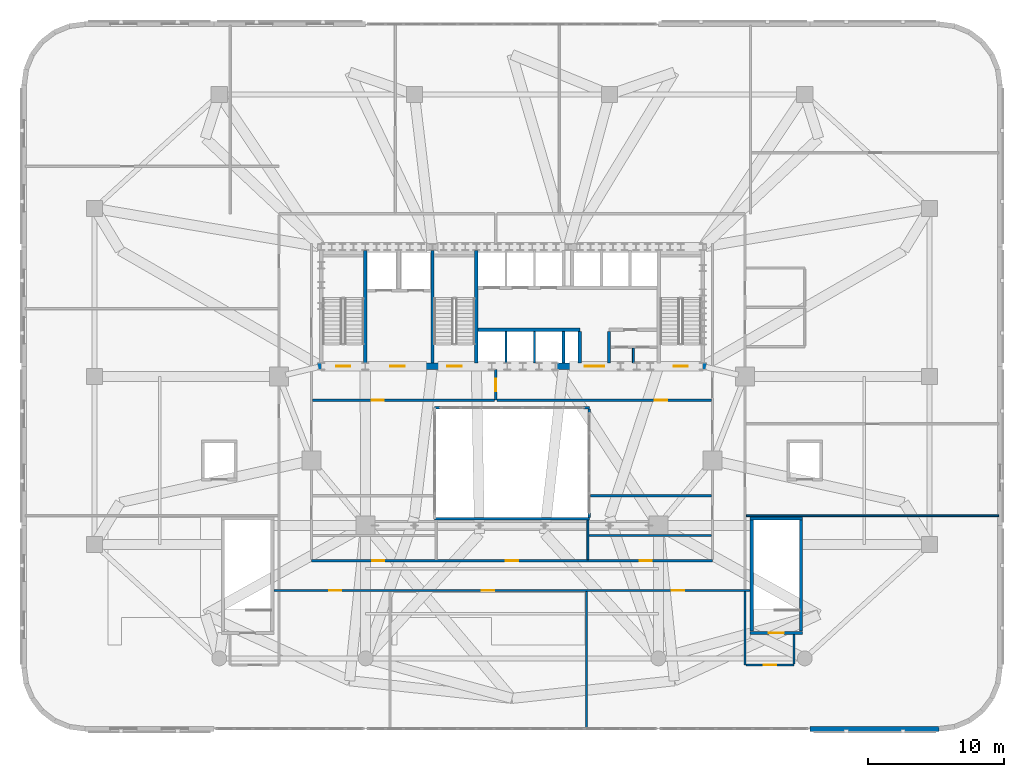
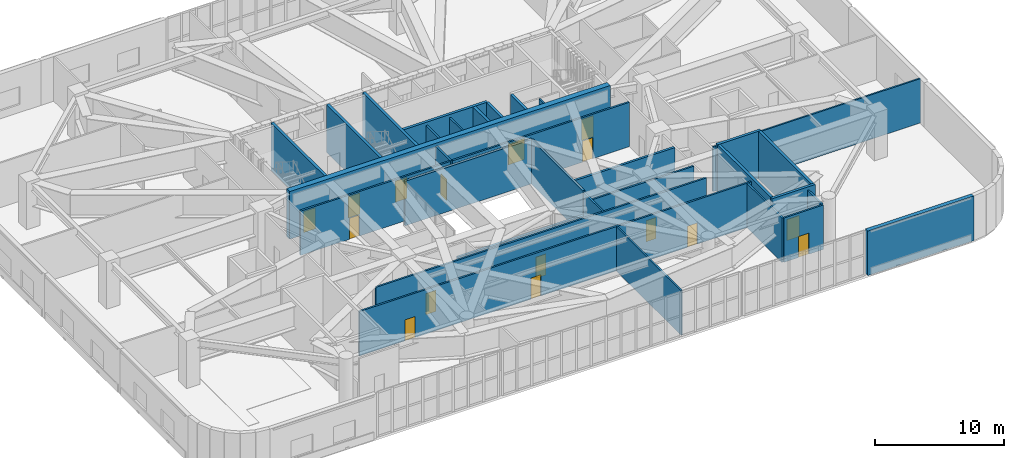
# One storey, part 16 of 26: 32 walls, 16 doors, 16 openings.
"""IFC4 building model written with IfcOpenShell, lengths in metres."""

from ifc_helpers import new_model, si_unit, direction, frame, frame_2d, origin, place, context, subcontext, project, spatial, rectangle, extrude, material, layer, layer_set, type_object, element, fill, save


model = new_model("IFC4")

# Units and contexts
model_context = context("Model", 3, precision=1e-05, world=origin(), true_north=direction((0.0, 1.0)))
body_context = subcontext(model_context, "Body", "Model", "MODEL_VIEW")
ifc_project = project(units=[si_unit("LENGTHUNIT", "METRE"), si_unit("AREAUNIT", "SQUARE_METRE"), si_unit("VOLUMEUNIT", "CUBIC_METRE"), si_unit("PLANEANGLEUNIT", "RADIAN"), si_unit("MASSUNIT", "GRAM", prefix="KILO")], contexts=[model_context])

# Site, building, storey
site_placement = place(None, origin())
site = spatial("IfcSite", under=ifc_project, at=site_placement, CompositionType="ELEMENT")
building_placement = place(site_placement, origin())
building = spatial("IfcBuilding", under=site, at=building_placement, Name="Haldorwick Loom Tower", CompositionType="ELEMENT")
storey_placement = place(building_placement, frame((0.0, 0.0, 19.5)))
storey = spatial("IfcBuildingStorey", under=building, at=storey_placement, Name="L04", CompositionType="ELEMENT", Elevation=19.5)

# Wall
ifc_material_1 = material(Name="Pressed Clay Face Brick and Insulated Masonry Backup Assembly", Category="masonry")
ifc_layer_1 = layer(ifc_material_1, 0.360107421875, Name="Pressed Clay Face Brick and Insulated Masonry Backup Assembly", Category="masonry")
ifc_layer_set_1 = layer_set([ifc_layer_1], Name="Pressed Clay Face Brick and Insulated Masonry Backup Assembly")
wall_type_1 = type_object("IfcWallType", Name="ARC-WL-EXT360", PredefinedType="STANDARD", material=ifc_layer_set_1)
wall_1_placement = place(storey_placement, frame((58.0, 0.0, 0.0), z_axis=(0.0, 0.0, 1.0), x_axis=(1.0, 0.0, 0.0)))
element("IfcWall", 1, at=wall_1_placement, inside=storey, type_object=wall_type_1, Name="L04 Brick Pier and Spandrel Wall 42", PredefinedType="STANDARD", context=body_context, shape_type="SweptSolid", body=[
    extrude(rectangle(XDim=9.5, YDim=0.360107421875, at=frame_2d((4.75, 0.0))), origin(), (0.0, 0.0, 1.0), 4.219970703125),
])

# Wall, openings, doors
ifc_material_2 = material(Name="Fire-Rated Type X Gypsum Stud Assembly EI 60")
ifc_layer_2 = layer(ifc_material_2, 0.159912109375, Name="Fire-Rated Type X Gypsum Stud Assembly EI 60")
ifc_layer_set_2 = layer_set([ifc_layer_2], Name="Fire-Rated Type X Gypsum Stud Assembly EI 60")
wall_type_2 = type_object("IfcWallType", Name="ARC-WL-FIRE160", PredefinedType="PARTITIONING", material=ifc_layer_set_2)
wall_2_placement = place(storey_placement, frame((18.443115234375, 10.199951171875, 0.0), z_axis=(0.0, 0.0, 1.0), x_axis=(1.0, 0.0, 0.0)))
wall_2 = element("IfcWall", 2, at=wall_2_placement, inside=storey, type_object=wall_type_2, Name="L04 Podium Partition L04-CS0", PredefinedType="PARTITIONING", context=body_context, shape_type="SweptSolid", body=[
    extrude(rectangle(XDim=35.11376953125, YDim=0.159912109375, at=frame_2d((17.556884765625, 0.0))), origin(), (0.0, 0.0, 1.0), 4.205078125),
])
opening_1_placement = place(wall_2_placement, frame((15.34033203125, 0.0, 0.0)))
opening_1 = element("IfcOpeningElement", 3, at=opening_1_placement, cuts=wall_2, Name="Opening D-FD60A", PredefinedType="OPENING", context=body_context, shape_type="SweptSolid", body=[
    extrude(rectangle(XDim=0.89990234375, YDim=2.0, at=frame_2d((0.449951171875, 1.0))), frame((0.0, 0.08984375, 0.0), z_axis=(0.0, -1.0, 0.0), x_axis=(1.0, 0.0, 0.0)), (0.0, 0.0, 1.0), 0.179931640625),
])
opening_2_placement = place(wall_2_placement, frame((29.3583984375, 0.0, 0.0)))
opening_2 = element("IfcOpeningElement", 4, at=opening_2_placement, cuts=wall_2, Name="Opening D-FD60A", PredefinedType="OPENING", context=body_context, shape_type="SweptSolid", body=[
    extrude(rectangle(XDim=0.89990234375, YDim=2.0, at=frame_2d((0.449951171875, 1.0))), frame((0.0, 0.08984375, 0.0), z_axis=(0.0, -1.0, 0.0), x_axis=(1.0, 0.0, 0.0)), (0.0, 0.0, 1.0), 0.179931640625),
])
opening_3_placement = place(wall_2_placement, frame((4.077392578125, 0.0, 0.0)))
opening_3 = element("IfcOpeningElement", 5, at=opening_3_placement, cuts=wall_2, Name="Opening D-FD60A", PredefinedType="OPENING", context=body_context, shape_type="SweptSolid", body=[
    extrude(rectangle(XDim=0.89990234375, YDim=2.0, at=frame_2d((0.449951171875, 1.0))), frame((0.0, 0.08984375, 0.0), z_axis=(0.0, -1.0, 0.0), x_axis=(1.0, 0.0, 0.0)), (0.0, 0.0, 1.0), 0.179931640625),
])
ifc_material_3 = material(Name="Hollow Steel Fire Door Assembly", Category="steel")
door_type_1 = type_object("IfcDoorType", Name="ARC-DR-FD60-90", OperationType="NOTDEFINED", PredefinedType="DOOR", material=ifc_material_3)
door_1_placement = place(opening_1_placement, origin())
door_1 = element("IfcDoor", 6, at=door_1_placement, inside=storey, type_object=door_type_1, Name="L04 L04 South Clinic Corridor to Senior Day Health Hall 1 Door", OperationType="SINGLE_SWING_LEFT", OverallHeight=2.0, OverallWidth=0.89990234375, PredefinedType="DOOR", context=body_context, shape_type="SweptSolid", body=[
    extrude(rectangle(XDim=0.89990234375, YDim=2.0, at=frame_2d((0.449951171875, 1.0))), frame((0.0, 0.02490234375, 0.0), z_axis=(0.0, -1.0, 0.0), x_axis=(1.0, 0.0, 0.0)), (0.0, 0.0, 1.0), 0.050048828125),
])
fill(opening_1, door_1)
door_2_placement = place(opening_2_placement, origin())
door_2 = element("IfcDoor", 7, at=door_2_placement, inside=storey, type_object=door_type_1, Name="L04 L04 South Clinic Corridor to Medical Archive Store 4 Door", OperationType="SINGLE_SWING_RIGHT", OverallHeight=2.0, OverallWidth=0.89990234375, PredefinedType="DOOR", context=body_context, shape_type="SweptSolid", body=[
    extrude(rectangle(XDim=0.89990234375, YDim=2.0, at=frame_2d((0.449951171875, 1.0))), frame((0.0, 0.02490234375, 0.0), z_axis=(0.0, -1.0, 0.0), x_axis=(1.0, 0.0, 0.0)), (0.0, 0.0, 1.0), 0.050048828125),
])
fill(opening_2, door_2)
door_3_placement = place(opening_3_placement, origin())
door_3 = element("IfcDoor", 8, at=door_3_placement, inside=storey, type_object=door_type_1, Name="L04 L04 South Clinic Corridor to Senior Day Health Hall 5 Door", OperationType="SINGLE_SWING_RIGHT", OverallHeight=2.0, OverallWidth=0.89990234375, PredefinedType="DOOR", context=body_context, shape_type="SweptSolid", body=[
    extrude(rectangle(XDim=0.89990234375, YDim=2.0, at=frame_2d((0.449951171875, 1.0))), frame((0.0, 0.02490234375, 0.0), z_axis=(0.0, -1.0, 0.0), x_axis=(1.0, 0.0, 0.0)), (0.0, 0.0, 1.0), 0.050048828125),
])
fill(opening_3, door_3)

wall_3_placement = place(storey_placement, frame((21.199951171875, 12.39990234375, 0.0), z_axis=(0.0, 0.0, 1.0), x_axis=(1.0, 0.0, 0.0)))
wall_3 = element("IfcWall", 9, at=wall_3_placement, inside=storey, type_object=wall_type_2, Name="L04 Podium Partition L04-CS1", PredefinedType="PARTITIONING", context=body_context, shape_type="SweptSolid", body=[
    extrude(rectangle(XDim=29.60009765625, YDim=0.159912109375, at=frame_2d((14.800048828125, 0.0))), origin(), (0.0, 0.0, 1.0), 4.205078125),
])
opening_4_placement = place(wall_3_placement, frame((14.35009765625, 0.0, 0.0)))
opening_4 = element("IfcOpeningElement", 10, at=opening_4_placement, cuts=wall_3, Name="Opening D-FD60A", PredefinedType="OPENING", context=body_context, shape_type="SweptSolid", body=[
    extrude(rectangle(XDim=0.89990234375, YDim=2.0, at=frame_2d((0.449951171875, 1.0))), frame((0.0, 0.08984375, 0.0), z_axis=(0.0, -1.0, 0.0), x_axis=(1.0, 0.0, 0.0)), (0.0, 0.0, 1.0), 0.179931640625),
])
opening_5_placement = place(wall_3_placement, frame((24.211181640625, 0.0, 0.0)))
opening_5 = element("IfcOpeningElement", 11, at=opening_5_placement, cuts=wall_3, Name="Opening D-FD60A", PredefinedType="OPENING", context=body_context, shape_type="SweptSolid", body=[
    extrude(rectangle(XDim=0.89990234375, YDim=2.0, at=frame_2d((0.449951171875, 1.0))), frame((0.0, 0.08984375, 0.0), z_axis=(0.0, -1.0, 0.0), x_axis=(1.0, 0.0, 0.0)), (0.0, 0.0, 1.0), 0.179931640625),
])
opening_6_placement = place(wall_3_placement, frame((4.48876953125, 0.0, 0.0)))
opening_6 = element("IfcOpeningElement", 12, at=opening_6_placement, cuts=wall_3, Name="Opening D-FD60A", PredefinedType="OPENING", context=body_context, shape_type="SweptSolid", body=[
    extrude(rectangle(XDim=0.89990234375, YDim=2.0, at=frame_2d((0.449951171875, 1.0))), frame((0.0, 0.08984375, 0.0), z_axis=(0.0, -1.0, 0.0), x_axis=(1.0, 0.0, 0.0)), (0.0, 0.0, 1.0), 0.179931640625),
])
door_4_placement = place(opening_4_placement, origin())
door_4 = element("IfcDoor", 13, at=door_4_placement, inside=storey, type_object=door_type_1, Name="L04 Central Transfer Truss Plant to L04 South Clinic Corridor Door", OperationType="SINGLE_SWING_LEFT", OverallHeight=2.0, OverallWidth=0.89990234375, PredefinedType="DOOR", context=body_context, shape_type="SweptSolid", body=[
    extrude(rectangle(XDim=0.89990234375, YDim=2.0, at=frame_2d((0.449951171875, 1.0))), frame((0.0, 0.02490234375, 0.0), z_axis=(0.0, -1.0, 0.0), x_axis=(1.0, 0.0, 0.0)), (0.0, 0.0, 1.0), 0.050048828125),
])
fill(opening_4, door_4)
door_5_placement = place(opening_5_placement, origin())
door_5 = element("IfcDoor", 14, at=door_5_placement, inside=storey, type_object=door_type_1, Name="L04 East Transfer Truss Plant to L04 South Clinic Corridor Door", OperationType="SINGLE_SWING_RIGHT", OverallHeight=2.0, OverallWidth=0.89990234375, PredefinedType="DOOR", context=body_context, shape_type="SweptSolid", body=[
    extrude(rectangle(XDim=0.89990234375, YDim=2.0, at=frame_2d((0.449951171875, 1.0))), frame((0.0, 0.02490234375, 0.0), z_axis=(0.0, -1.0, 0.0), x_axis=(1.0, 0.0, 0.0)), (0.0, 0.0, 1.0), 0.050048828125),
])
fill(opening_5, door_5)
door_6_placement = place(opening_6_placement, origin())
door_6 = element("IfcDoor", 15, at=door_6_placement, inside=storey, type_object=door_type_1, Name="L04 West Transfer Truss Plant to L04 South Clinic Corridor Door", OperationType="SINGLE_SWING_LEFT", OverallHeight=2.0, OverallWidth=0.89990234375, PredefinedType="DOOR", context=body_context, shape_type="SweptSolid", body=[
    extrude(rectangle(XDim=0.89990234375, YDim=2.0, at=frame_2d((0.449951171875, 1.0))), frame((0.0, 0.02490234375, 0.0), z_axis=(0.0, -1.0, 0.0), x_axis=(1.0, 0.0, 0.0)), (0.0, 0.0, 1.0), 0.050048828125),
])
fill(opening_6, door_6)

# Wall, opening, door
wall_4_placement = place(storey_placement, frame((34.800048828125, 24.25, 0.0), z_axis=(0.0, 0.0, 1.0), x_axis=(0.0, 1.0, 0.0)))
wall_4 = element("IfcWall", 16, at=wall_4_placement, inside=storey, type_object=wall_type_2, Name="L04 Podium Partition L04-CCS", PredefinedType="PARTITIONING", context=body_context, shape_type="SweptSolid", body=[
    extrude(rectangle(XDim=2.2470703125, YDim=0.159912109375, at=frame_2d((1.12353515625, 0.0))), origin(), (0.0, 0.0, 1.0), 4.205078125),
])
opening_7_placement = place(wall_4_placement, frame((0.673583984375, 0.0, 0.0)))
opening_7 = element("IfcOpeningElement", 17, at=opening_7_placement, cuts=wall_4, Name="Opening D-FD60A", PredefinedType="OPENING", context=body_context, shape_type="SweptSolid", body=[
    extrude(rectangle(XDim=0.89990234375, YDim=2.0, at=frame_2d((0.449951171875, 1.0))), frame((0.0, 0.08984375, 0.0), z_axis=(0.0, -1.0, 0.0), x_axis=(1.0, 0.0, 0.0)), (0.0, 0.0, 1.0), 0.179931640625),
])
door_7_placement = place(opening_7_placement, origin())
door_7 = element("IfcDoor", 18, at=door_7_placement, inside=storey, type_object=door_type_1, Name="L04 L04 West Core Corridor to L04 East Core Corridor Door", OperationType="SINGLE_SWING_LEFT", OverallHeight=2.0, OverallWidth=0.89990234375, PredefinedType="DOOR", context=body_context, shape_type="SweptSolid", body=[
    extrude(rectangle(XDim=0.89990234375, YDim=2.0, at=frame_2d((0.449951171875, 1.0))), frame((0.0, 0.02490234375, 0.0), z_axis=(0.0, -1.0, 0.0), x_axis=(1.0, 0.0, 0.0)), (0.0, 0.0, 1.0), 0.050048828125),
])
fill(opening_7, door_7)

# Wall
wall_5_placement = place(storey_placement, frame((53.199951171875, 4.699951171875, 0.0), z_axis=(0.0, 0.0, 1.0), x_axis=(0.0, 1.0, 0.0)))
element("IfcWall", 19, at=wall_5_placement, inside=storey, type_object=wall_type_2, Name="L04 Podium Partition L04-SP2W", PredefinedType="PARTITIONING", context=body_context, shape_type="SweptSolid", body=[
    extrude(rectangle(XDim=5.4169921875, YDim=0.159912109375, at=frame_2d((2.70849609375, 0.0))), origin(), (0.0, 0.0, 1.0), 4.205078125),
])

# Wall, opening, door
wall_6_placement = place(storey_placement, frame((53.282958984375, 4.699951171875, 0.0), z_axis=(0.0, 0.0, 1.0), x_axis=(1.0, 0.0, 0.0)))
wall_6 = element("IfcWall", 20, at=wall_6_placement, inside=storey, type_object=wall_type_2, Name="L04 Podium Partition L04-SP2S", PredefinedType="PARTITIONING", context=body_context, shape_type="SweptSolid", body=[
    extrude(rectangle(XDim=3.51708984375, YDim=0.159912109375, at=frame_2d((1.758544921875, 0.0))), origin(), (0.0, 0.0, 1.0), 4.205078125),
])
opening_8_placement = place(wall_6_placement, frame((1.30859375, 0.0, 0.0)))
opening_8 = element("IfcOpeningElement", 21, at=opening_8_placement, cuts=wall_6, Name="Opening D-FD60A", PredefinedType="OPENING", context=body_context, shape_type="SweptSolid", body=[
    extrude(rectangle(XDim=0.89990234375, YDim=2.0, at=frame_2d((0.449951171875, 1.0))), frame((0.0, 0.08984375, 0.0), z_axis=(0.0, -1.0, 0.0), x_axis=(1.0, 0.0, 0.0)), (0.0, 0.0, 1.0), 0.179931640625),
])
door_8_placement = place(opening_8_placement, frame((0.89990234375, 0.0, 0.0), z_axis=(0.0, 0.0, 1.0), x_axis=(-1.0, 0.0, 0.0)))
door_8 = element("IfcDoor", 22, at=door_8_placement, inside=storey, type_object=door_type_1, Name="L04 L04 East Stair Vestibule to Medical Archive Store 4 Door", OperationType="SINGLE_SWING_RIGHT", OverallHeight=2.0, OverallWidth=0.89990234375, PredefinedType="DOOR", context=body_context, shape_type="SweptSolid", body=[
    extrude(rectangle(XDim=0.89990234375, YDim=2.0, at=frame_2d((0.449951171875, 1.0))), frame((0.0, 0.02490234375, 0.0), z_axis=(0.0, -1.0, 0.0), x_axis=(1.0, 0.0, 0.0)), (0.0, 0.0, 1.0), 0.050048828125),
])
fill(opening_8, door_8)

# Wall
wall_7_placement = place(storey_placement, frame((56.800048828125, 4.782958984375, 0.0), z_axis=(0.0, 0.0, 1.0), x_axis=(0.0, 1.0, 0.0)))
element("IfcWall", 23, at=wall_7_placement, inside=storey, type_object=wall_type_2, Name="L04 Podium Partition L04-SP2E", PredefinedType="PARTITIONING", context=body_context, shape_type="SweptSolid", body=[
    extrude(rectangle(XDim=2.174072265625, YDim=0.159912109375, at=frame_2d((1.0869140625, 0.0))), origin(), (0.0, 0.0, 1.0), 4.205078125),
])

# Wall, opening, door
wall_8_placement = place(storey_placement, frame((21.282958984375, 24.25, 0.0), z_axis=(0.0, 0.0, 1.0), x_axis=(1.0, 0.0, 0.0)))
wall_8 = element("IfcWall", 24, at=wall_8_placement, inside=storey, type_object=wall_type_2, Name="L04 Podium Partition L04-CMN", PredefinedType="PARTITIONING", context=body_context, shape_type="SweptSolid", body=[
    extrude(rectangle(XDim=13.43408203125, YDim=0.159912109375, at=frame_2d((6.717041015625, 0.0))), origin(), (0.0, 0.0, 1.0), 4.205078125),
])
opening_9_placement = place(wall_8_placement, frame((4.36474609375, 0.0, 0.0)))
opening_9 = element("IfcOpeningElement", 25, at=opening_9_placement, cuts=wall_8, Name="Opening D-FD60A", PredefinedType="OPENING", context=body_context, shape_type="SweptSolid", body=[
    extrude(rectangle(XDim=0.89990234375, YDim=2.0, at=frame_2d((0.449951171875, 1.0))), frame((0.0, 0.08984375, 0.0), z_axis=(0.0, -1.0, 0.0), x_axis=(1.0, 0.0, 0.0)), (0.0, 0.0, 1.0), 0.179931640625),
])
door_9_placement = place(opening_9_placement, origin())
door_9 = element("IfcDoor", 26, at=door_9_placement, inside=storey, type_object=door_type_1, Name="L04 L04 West Core Corridor to Medical Archive Store 12 Door", OperationType="SINGLE_SWING_LEFT", OverallHeight=2.0, OverallWidth=0.89990234375, PredefinedType="DOOR", context=body_context, shape_type="SweptSolid", body=[
    extrude(rectangle(XDim=0.89990234375, YDim=2.0, at=frame_2d((0.449951171875, 1.0))), frame((0.0, 0.02490234375, 0.0), z_axis=(0.0, -1.0, 0.0), x_axis=(1.0, 0.0, 0.0)), (0.0, 0.0, 1.0), 0.050048828125),
])
fill(opening_9, door_9)

wall_9_placement = place(storey_placement, frame((34.883056640625, 24.25, 0.0), z_axis=(0.0, 0.0, 1.0), x_axis=(1.0, 0.0, 0.0)))
wall_9 = element("IfcWall", 27, at=wall_9_placement, inside=storey, type_object=wall_type_2, Name="L04 Podium Partition L04-CMN", PredefinedType="PARTITIONING", context=body_context, shape_type="SweptSolid", body=[
    extrude(rectangle(XDim=15.833984375, YDim=0.159912109375, at=frame_2d((7.9169921875, 0.0))), origin(), (0.0, 0.0, 1.0), 4.205078125),
])
opening_10_placement = place(wall_9_placement, frame((11.65380859375, 0.0, 0.0)))
opening_10 = element("IfcOpeningElement", 28, at=opening_10_placement, cuts=wall_9, Name="Opening D-FD60A", PredefinedType="OPENING", context=body_context, shape_type="SweptSolid", body=[
    extrude(rectangle(XDim=0.89990234375, YDim=2.0, at=frame_2d((0.449951171875, 1.0))), frame((0.0, 0.08984375, 0.0), z_axis=(0.0, -1.0, 0.0), x_axis=(1.0, 0.0, 0.0)), (0.0, 0.0, 1.0), 0.179931640625),
])
door_10_placement = place(opening_10_placement, origin())
door_10 = element("IfcDoor", 29, at=door_10_placement, inside=storey, type_object=door_type_1, Name="L04 L04 East Core Corridor to Senior Day Health Hall 13 Door", OperationType="SINGLE_SWING_RIGHT", OverallHeight=2.0, OverallWidth=0.89990234375, PredefinedType="DOOR", context=body_context, shape_type="SweptSolid", body=[
    extrude(rectangle(XDim=0.89990234375, YDim=2.0, at=frame_2d((0.449951171875, 1.0))), frame((0.0, 0.02490234375, 0.0), z_axis=(0.0, -1.0, 0.0), x_axis=(1.0, 0.0, 0.0)), (0.0, 0.0, 1.0), 0.050048828125),
])
fill(opening_10, door_10)

# Walls
wall_10_placement = place(storey_placement, frame((41.673095703125, 14.264892578125, 0.0), z_axis=(0.0, 0.0, 1.0), x_axis=(1.0, 0.0, 0.0)))
element("IfcWall", 30, at=wall_10_placement, inside=storey, type_object=wall_type_2, Name="L04 Podium Partition L04-PTE", PredefinedType="PARTITIONING", context=body_context, shape_type="SweptSolid", body=[
    extrude(rectangle(XDim=9.0439453125, YDim=0.159912109375, at=frame_2d((4.52197265625, 0.0))), origin(), (0.0, 0.0, 1.0), 4.205078125),
])
ifc_material_4 = material(Name="Fire-Rated Type X Gypsum Stud Assembly EI 120")
ifc_layer_3 = layer(ifc_material_4, 0.199951171875, Name="Fire-Rated Type X Gypsum Stud Assembly EI 120")
ifc_layer_set_3 = layer_set([ifc_layer_3], Name="Fire-Rated Type X Gypsum Stud Assembly EI 120")
wall_type_3 = type_object("IfcWallType", Name="ARC-WL-FIRE200", PredefinedType="PARTITIONING", material=ifc_layer_set_3)
wall_11_placement = place(storey_placement, frame((30.300048828125, 23.699951171875, 0.0), z_axis=(0.0, 0.0, 1.0), x_axis=(1.0, 0.0, 0.0)))
element("IfcWall", 31, at=wall_11_placement, inside=storey, type_object=wall_type_3, Name="L04 Podium Atrium Wall", PredefinedType="PARTITIONING", context=body_context, shape_type="SweptSolid", body=[
    extrude(rectangle(XDim=11.39990234375, YDim=0.199951171875, at=frame_2d((5.699951171875, 0.0))), origin(), (0.0, 0.0, 1.0), 4.205078125),
])
wall_12_placement = place(storey_placement, frame((41.699951171875, 15.5, 0.0), z_axis=(0.0, 0.0, 1.0), x_axis=(-1.0, 0.0, 0.0)))
element("IfcWall", 32, at=wall_12_placement, inside=storey, type_object=wall_type_3, Name="L04 Podium Atrium Wall", PredefinedType="PARTITIONING", context=body_context, shape_type="SweptSolid", body=[
    extrude(rectangle(XDim=11.39990234375, YDim=0.199951171875, at=frame_2d((5.699951171875, 0.0))), origin(), (0.0, 0.0, 1.0), 1.9951171875),
])
wall_13_placement = place(storey_placement, frame((41.699951171875, 23.596923828125, 0.0), z_axis=(0.0, 0.0, 1.0), x_axis=(0.0, -1.0, 0.0)))
element("IfcWall", 33, at=wall_13_placement, inside=storey, type_object=wall_type_3, Name="L04 Podium Atrium Wall", PredefinedType="PARTITIONING", context=body_context, shape_type="SweptSolid", body=[
    extrude(rectangle(XDim=7.993896484375, YDim=0.199951171875, at=frame_2d((3.9970703125, 0.0))), origin(), (0.0, 0.0, 1.0), 4.205078125),
])
wall_14_placement = place(storey_placement, frame((41.802978515625, 17.199951171875, 0.0), z_axis=(0.0, 0.0, 1.0), x_axis=(1.0, 0.0, 0.0)))
element("IfcWall", 34, at=wall_14_placement, inside=storey, type_object=wall_type_3, Name="L04 Podium Partition L04-TRM-N", PredefinedType="PARTITIONING", context=body_context, shape_type="SweptSolid", body=[
    extrude(rectangle(XDim=8.9140625, YDim=0.199951171875, at=frame_2d((4.45703125, 0.0))), origin(), (0.0, 0.0, 1.0), 4.205078125),
])
ifc_layer_4 = layer(ifc_material_2, 0.139892578125, Name="Fire-Rated Type X Gypsum Stud Assembly EI 60")
ifc_layer_set_4 = layer_set([ifc_layer_4], Name="Fire-Rated Type X Gypsum Stud Assembly EI 60")
wall_type_4 = type_object("IfcWallType", Name="ARC-WL-PART140", PredefinedType="PARTITIONING", material=ifc_layer_set_4)
wall_15_placement = place(storey_placement, frame((44.949951171875, 27.0029296875, 0.0), z_axis=(0.0, 0.0, 1.0), x_axis=(0.0, 1.0, 0.0)))
element("IfcWall", 35, at=wall_15_placement, inside=storey, type_object=wall_type_4, Name="L04 Metering Sub-Partition", PredefinedType="PARTITIONING", context=body_context, shape_type="SweptSolid", body=[
    extrude(rectangle(XDim=1.083984375, YDim=0.139892578125, at=frame_2d((0.5419921875, 0.0))), origin(), (0.0, 0.0, 1.0), 4.205078125),
])
wall_16_placement = place(storey_placement, frame((41.60009765625, 12.48291015625, 0.0), z_axis=(0.0, 0.0, 1.0), x_axis=(0.0, 1.0, 0.0)))
element("IfcWall", 36, at=wall_16_placement, inside=storey, type_object=wall_type_4, Name="L04 Podium Partition L04-ATE1", PredefinedType="PARTITIONING", context=body_context, shape_type="SweptSolid", body=[
    extrude(rectangle(XDim=2.9140625, YDim=0.139892578125, at=frame_2d((1.45703125, 0.0))), origin(), (0.0, 0.0, 1.0), 4.205078125),
])
wall_17_placement = place(storey_placement, frame((41.5, 0.10009765625, 0.0), z_axis=(0.0, 0.0, 1.0), x_axis=(0.0, 1.0, 0.0)))
element("IfcWall", 37, at=wall_17_placement, inside=storey, type_object=wall_type_4, Name="L04 Podium Partition L04-PS-1", PredefinedType="PARTITIONING", context=body_context, shape_type="SweptSolid", body=[
    extrude(rectangle(XDim=10.016845703125, YDim=0.139892578125, at=frame_2d((5.00830078125, 0.0))), origin(), (0.0, 0.0, 1.0), 4.205078125),
])
wall_18_placement = place(storey_placement, frame((53.282958984375, 15.72509765625, 0.0), z_axis=(0.0, 0.0, 1.0), x_axis=(1.0, 0.0, 0.0)))
element("IfcWall", 38, at=wall_18_placement, inside=storey, type_object=wall_type_4, Name="L04 Podium Partition L04-PE-0", PredefinedType="PARTITIONING", context=body_context, shape_type="SweptSolid", body=[
    extrude(rectangle(XDim=18.616943359375, YDim=0.139892578125, at=frame_2d((9.30859375, 0.0))), origin(), (0.0, 0.0, 1.0), 4.205078125),
])
ifc_layer_5 = layer(ifc_material_4, 0.1650390625, Name="Fire-Rated Type X Gypsum Stud Assembly EI 120")
ifc_layer_set_5 = layer_set([ifc_layer_5], Name="Fire-Rated Type X Gypsum Stud Assembly EI 120")
wall_type_5 = type_object("IfcWallType", Name="ARC-WL-SHAFT160", PredefinedType="MOVABLE", material=ifc_layer_set_5)
for number, where, z_axis, x_axis, name in (
    (39, (35.550048828125, 27.0029296875, 0.0), (0.0, 0.0, 1.0), (0.0, 1.0, 0.0), "L04 Mid-Rise Hoistway Divider 1"),
    (40, (37.64990234375, 27.0029296875, 0.0), (0.0, 0.0, 1.0), (0.0, 1.0, 0.0), "L04 Mid-Rise Hoistway Divider 2"),
):
    element("IfcWall", number, at=place(storey_placement, frame(where, z_axis=z_axis, x_axis=x_axis)), inside=storey, type_object=wall_type_5, Name=name, PredefinedType="MOVABLE", context=body_context, shape_type="SweptSolid", body=[
        extrude(rectangle(XDim=2.323974609375, YDim=0.159912109375, at=frame_2d((1.162109375, 0.0))), origin(), (0.0, 0.0, 1.0), 4.205078125),
    ])

# Wall, openings, doors
ifc_material_5 = material(Name="Concrete C60 (60 MPa)", Category="concrete")
ifc_layer_6 = layer(ifc_material_5, 0.5, Name="Concrete C60 (60 MPa)", Category="concrete")
ifc_layer_set_6 = layer_set([ifc_layer_6], Name="Concrete C60 (60 MPa)")
wall_type_6 = type_object("IfcWallType", Name="STR-WL-CORE500", PredefinedType="SHEAR", material=ifc_layer_set_6)
wall_19_placement = place(storey_placement, frame((21.64990234375, 26.75, 0.0), z_axis=(0.0, 0.0, 1.0), x_axis=(1.0, 0.0, 0.0)))
wall_19 = element("IfcWall", 41, at=wall_19_placement, inside=storey, type_object=wall_type_6, Name="L04 Core Shear Wall S", PredefinedType="SHEAR", context=body_context, shape_type="SweptSolid", body=[
    extrude(rectangle(XDim=28.7001953125, YDim=0.5, at=frame_2d((14.35009765625, 0.0))), origin(), (0.0, 0.0, 1.0), 4.5),
])
opening_11_placement = place(wall_19_placement, frame((1.375, 0.0, 0.0)))
opening_11 = element("IfcOpeningElement", 42, at=opening_11_placement, cuts=wall_19, Name="Opening D-FD60", PredefinedType="OPENING", context=body_context, shape_type="SweptSolid", body=[
    extrude(rectangle(XDim=1.050048828125, YDim=2.0, at=frame_2d((0.52490234375, 1.0))), frame((0.0, 0.260009765625, 0.0), z_axis=(0.0, -1.0, 0.0), x_axis=(1.0, 0.0, 0.0)), (0.0, 0.0, 1.0), 0.52001953125),
])
opening_12_placement = place(wall_19_placement, frame((5.375, 0.0, 0.0)))
opening_12 = element("IfcOpeningElement", 43, at=opening_12_placement, cuts=wall_19, Name="Opening D-FD60", PredefinedType="OPENING", context=body_context, shape_type="SweptSolid", body=[
    extrude(rectangle(XDim=1.050048828125, YDim=2.0, at=frame_2d((0.52490234375, 1.0))), frame((0.0, 0.260009765625, 0.0), z_axis=(0.0, -1.0, 0.0), x_axis=(1.0, 0.0, 0.0)), (0.0, 0.0, 1.0), 0.52001953125),
])
opening_13_placement = place(wall_19_placement, frame((9.574951171875, 0.0, 0.0)))
opening_13 = element("IfcOpeningElement", 44, at=opening_13_placement, cuts=wall_19, Name="Opening D-FD60", PredefinedType="OPENING", context=body_context, shape_type="SweptSolid", body=[
    extrude(rectangle(XDim=1.050048828125, YDim=2.0, at=frame_2d((0.52490234375, 1.0))), frame((0.0, 0.260009765625, 0.0), z_axis=(0.0, -1.0, 0.0), x_axis=(1.0, 0.0, 0.0)), (0.0, 0.0, 1.0), 0.52001953125),
])
opening_14_placement = place(wall_19_placement, frame((19.705078125, 0.0, 0.0)))
opening_14 = element("IfcOpeningElement", 45, at=opening_14_placement, cuts=wall_19, Name="Opening D-LB15", PredefinedType="OPENING", context=body_context, shape_type="SweptSolid", body=[
    extrude(rectangle(XDim=1.449951171875, YDim=2.0, at=frame_2d((0.72509765625, 1.0))), frame((0.0, 0.260009765625, 0.0), z_axis=(0.0, -1.0, 0.0), x_axis=(1.0, 0.0, 0.0)), (0.0, 0.0, 1.0), 0.52001953125),
])
opening_15_placement = place(wall_19_placement, frame((26.27490234375, 0.0, 0.0)))
opening_15 = element("IfcOpeningElement", 46, at=opening_15_placement, cuts=wall_19, Name="Opening D-FD60", PredefinedType="OPENING", context=body_context, shape_type="SweptSolid", body=[
    extrude(rectangle(XDim=1.050048828125, YDim=2.0, at=frame_2d((0.52490234375, 1.0))), frame((0.0, 0.260009765625, 0.0), z_axis=(0.0, -1.0, 0.0), x_axis=(1.0, 0.0, 0.0)), (0.0, 0.0, 1.0), 0.52001953125),
])
door_type_2 = type_object("IfcDoorType", Name="ARC-DR-FD60", OperationType="NOTDEFINED", PredefinedType="DOOR", material=ifc_material_3)
door_11_placement = place(opening_11_placement, origin())
door_11 = element("IfcDoor", 47, at=door_11_placement, inside=storey, type_object=door_type_2, Name="L04 Exit Stair ST-01 Fire Door", OperationType="SINGLE_SWING_RIGHT", OverallHeight=2.0, OverallWidth=1.050048828125, PredefinedType="DOOR", context=body_context, shape_type="SweptSolid", body=[
    extrude(rectangle(XDim=1.050048828125, YDim=2.0, at=frame_2d((0.52490234375, 1.0))), frame((0.0, 0.02490234375, 0.0), z_axis=(0.0, -1.0, 0.0), x_axis=(1.0, 0.0, 0.0)), (0.0, 0.0, 1.0), 0.050048828125),
])
fill(opening_11, door_11)
door_12_placement = place(opening_12_placement, origin())
door_12 = element("IfcDoor", 48, at=door_12_placement, inside=storey, type_object=door_type_2, Name="L04 Firefighting Lift Lobby Fire Door", OperationType="SINGLE_SWING_LEFT", OverallHeight=2.0, OverallWidth=1.050048828125, PredefinedType="DOOR", context=body_context, shape_type="SweptSolid", body=[
    extrude(rectangle(XDim=1.050048828125, YDim=2.0, at=frame_2d((0.52490234375, 1.0))), frame((0.0, 0.02490234375, 0.0), z_axis=(0.0, -1.0, 0.0), x_axis=(1.0, 0.0, 0.0)), (0.0, 0.0, 1.0), 0.050048828125),
])
fill(opening_12, door_12)
door_13_placement = place(opening_13_placement, origin())
door_13 = element("IfcDoor", 49, at=door_13_placement, inside=storey, type_object=door_type_2, Name="L04 Exit Stair ST-03 Fire Door", OperationType="SINGLE_SWING_LEFT", OverallHeight=2.0, OverallWidth=1.050048828125, PredefinedType="DOOR", context=body_context, shape_type="SweptSolid", body=[
    extrude(rectangle(XDim=1.050048828125, YDim=2.0, at=frame_2d((0.52490234375, 1.0))), frame((0.0, 0.02490234375, 0.0), z_axis=(0.0, -1.0, 0.0), x_axis=(1.0, 0.0, 0.0)), (0.0, 0.0, 1.0), 0.050048828125),
])
fill(opening_13, door_13)
door_14_placement = place(opening_15_placement, origin())
door_14 = element("IfcDoor", 50, at=door_14_placement, inside=storey, type_object=door_type_2, Name="L04 Exit Stair ST-02 Fire Door", OperationType="SINGLE_SWING_LEFT", OverallHeight=2.0, OverallWidth=1.050048828125, PredefinedType="DOOR", context=body_context, shape_type="SweptSolid", body=[
    extrude(rectangle(XDim=1.050048828125, YDim=2.0, at=frame_2d((0.52490234375, 1.0))), frame((0.0, 0.02490234375, 0.0), z_axis=(0.0, -1.0, 0.0), x_axis=(1.0, 0.0, 0.0)), (0.0, 0.0, 1.0), 0.050048828125),
])
fill(opening_15, door_14)
ifc_material_6 = material(Name="Thermally Broken Anodized Aluminium and Tempered Glass", Category="aluminium")
door_type_3 = type_object("IfcDoorType", Name="ARC-DR-LOB150", OperationType="NOTDEFINED", PredefinedType="DOOR", material=ifc_material_6)
door_15_placement = place(opening_14_placement, frame((1.449951171875, 0.0, 0.0), z_axis=(0.0, 0.0, 1.0), x_axis=(-1.0, 0.0, 0.0)))
door_15 = element("IfcDoor", 51, at=door_15_placement, inside=storey, type_object=door_type_3, Name="L04 Passenger Lift Lobby Fire Door", OperationType="DOUBLE_DOOR_SINGLE_SWING", OverallHeight=2.0, OverallWidth=1.449951171875, PredefinedType="DOOR", context=body_context, shape_type="SweptSolid", body=[
    extrude(rectangle(XDim=1.449951171875, YDim=2.0, at=frame_2d((0.72509765625, 1.0))), frame((0.0, 0.02490234375, 0.0), z_axis=(0.0, -1.0, 0.0), x_axis=(1.0, 0.0, 0.0)), (0.0, 0.0, 1.0), 0.050048828125),
])
fill(opening_14, door_15)

# Walls
ifc_material_7 = material(Name="Concrete C50 (50 MPa)", Category="concrete")
ifc_layer_7 = layer(ifc_material_7, 0.239990234375, Name="Concrete C50 (50 MPa)", Category="concrete")
ifc_layer_set_7 = layer_set([ifc_layer_7], Name="Concrete C50 (50 MPa)")
wall_type_7 = type_object("IfcWallType", Name="STR-WL-SHAFT240", PredefinedType="SHEAR", material=ifc_layer_set_7)
for number, where, z_axis, x_axis, name in (
    (52, (25.169921875, 27.0029296875, 0.0), (0.0, 0.0, 1.0), (0.0, 1.0, 0.0), "L04 Core Shear Wall 1"),
    (53, (30.1298828125, 27.0029296875, 0.0), (0.0, 0.0, 1.0), (0.0, 1.0, 0.0), "L04 Core Shear Wall 2"),
    (54, (33.3701171875, 27.0029296875, 0.0), (0.0, 0.0, 1.0), (0.0, 1.0, 0.0), "L04 Core Shear Wall 3"),
):
    element("IfcWall", number, at=place(storey_placement, frame(where, z_axis=z_axis, x_axis=x_axis)), inside=storey, type_object=wall_type_7, Name=name, PredefinedType="SHEAR", context=body_context, shape_type="SweptSolid", body=[
        extrude(rectangle(XDim=8.294189453125, YDim=0.239990234375, at=frame_2d((4.14697265625, 0.0))), origin(), (0.0, 0.0, 1.0), 4.5),
    ])
wall_20_placement = place(storey_placement, frame((33.492919921875, 29.449951171875, 0.0), z_axis=(0.0, 0.0, 1.0), x_axis=(1.0, 0.0, 0.0)))
element("IfcWall", 55, at=wall_20_placement, inside=storey, type_object=wall_type_7, Name="L04 Core Shear Wall LS1", PredefinedType="SHEAR", context=body_context, shape_type="SweptSolid", body=[
    extrude(rectangle(XDim=7.507080078125, YDim=0.239990234375, at=frame_2d((3.75341796875, 0.0))), origin(), (0.0, 0.0, 1.0), 4.5),
])
for number, where, z_axis, x_axis, name in (
    (56, (41.0, 27.0029296875, 0.0), (0.0, 0.0, 1.0), (0.0, 1.0, 0.0), "L04 Core Shear Wall THW"),
    (57, (43.14990234375, 27.0029296875, 0.0), (0.0, 0.0, 1.0), (0.0, 1.0, 0.0), "L04 Core Shear Wall THE"),
    (58, (39.800048828125, 27.0029296875, 0.0), (0.0, 0.0, 1.0), (0.0, 1.0, 0.0), "L04 Core Shear Wall MRW"),
):
    element("IfcWall", number, at=place(storey_placement, frame(where, z_axis=z_axis, x_axis=x_axis)), inside=storey, type_object=wall_type_7, Name=name, PredefinedType="SHEAR", context=body_context, shape_type="SweptSolid", body=[
        extrude(rectangle(XDim=2.323974609375, YDim=0.239990234375, at=frame_2d((1.162109375, 0.0))), origin(), (0.0, 0.0, 1.0), 4.5),
    ])

# Wall, opening, door
wall_21_placement = place(storey_placement, frame((53.56005859375, 7.080078125, 0.0), z_axis=(0.0, 0.0, 1.0), x_axis=(1.0, 0.0, 0.0)))
wall_21 = element("IfcWall", 59, at=wall_21_placement, inside=storey, type_object=wall_type_7, Name="L04 Exit Stairwell ST-P2 Wall", PredefinedType="SHEAR", context=body_context, shape_type="SweptSolid", body=[
    extrude(rectangle(XDim=3.8798828125, YDim=0.239990234375, at=frame_2d((1.93994140625, 0.0))), origin(), (0.0, 0.0, 1.0), 4.5),
])
opening_16_placement = place(wall_21_placement, frame((1.389892578125, 0.0, 0.0)))
opening_16 = element("IfcOpeningElement", 60, at=opening_16_placement, cuts=wall_21, Name="Opening D-FD90", PredefinedType="OPENING", context=body_context, shape_type="SweptSolid", body=[
    extrude(rectangle(XDim=1.10009765625, YDim=2.0, at=frame_2d((0.550048828125, 1.0))), frame((0.0, 0.1298828125, 0.0), z_axis=(0.0, -1.0, 0.0), x_axis=(1.0, 0.0, 0.0)), (0.0, 0.0, 1.0), 0.260009765625),
])
door_type_4 = type_object("IfcDoorType", Name="ARC-DR-FD90", OperationType="NOTDEFINED", PredefinedType="DOOR", material=ifc_material_3)
door_16_placement = place(opening_16_placement, origin())
door_16 = element("IfcDoor", 61, at=door_16_placement, inside=storey, type_object=door_type_4, Name="L04 Exit Stairwell ST-P2 Exit Door", OperationType="SINGLE_SWING_RIGHT", OverallHeight=2.0, OverallWidth=1.10009765625, PredefinedType="DOOR", context=body_context, shape_type="SweptSolid", body=[
    extrude(rectangle(XDim=1.10009765625, YDim=2.0, at=frame_2d((0.550048828125, 1.0))), frame((0.0, 0.02490234375, 0.0), z_axis=(0.0, -1.0, 0.0), x_axis=(1.0, 0.0, 0.0)), (0.0, 0.0, 1.0), 0.050048828125),
])
fill(opening_16, door_16)

# Walls
wall_22_placement = place(storey_placement, frame((57.43994140625, 15.52001953125, 0.0), z_axis=(0.0, 0.0, 1.0), x_axis=(-1.0, 0.0, 0.0)))
element("IfcWall", 62, at=wall_22_placement, inside=storey, type_object=wall_type_7, Name="L04 Exit Stairwell ST-P2 Wall", PredefinedType="SHEAR", context=body_context, shape_type="SweptSolid", body=[
    extrude(rectangle(XDim=3.8798828125, YDim=0.239990234375, at=frame_2d((1.93994140625, 0.0))), origin(), (0.0, 0.0, 1.0), 4.5),
])
for number, where, z_axis, x_axis, name in (
    (63, (53.679931640625, 7.202880859375, 0.0), (0.0, 0.0, 1.0), (0.0, 1.0, 0.0), "L04 Exit Stairwell ST-P2 Wall"),
    (64, (57.320068359375, 7.202880859375, 0.0), (0.0, 0.0, 1.0), (0.0, 1.0, 0.0), "L04 Exit Stairwell ST-P2 Wall"),
):
    element("IfcWall", number, at=place(storey_placement, frame(where, z_axis=z_axis, x_axis=x_axis)), inside=storey, type_object=wall_type_7, Name=name, PredefinedType="SHEAR", context=body_context, shape_type="SweptSolid", body=[
        extrude(rectangle(XDim=8.194091796875, YDim=0.239990234375, at=frame_2d((4.09716796875, 0.0))), origin(), (0.0, 0.0, 1.0), 4.5),
    ])

save(model, "model.ifc")
